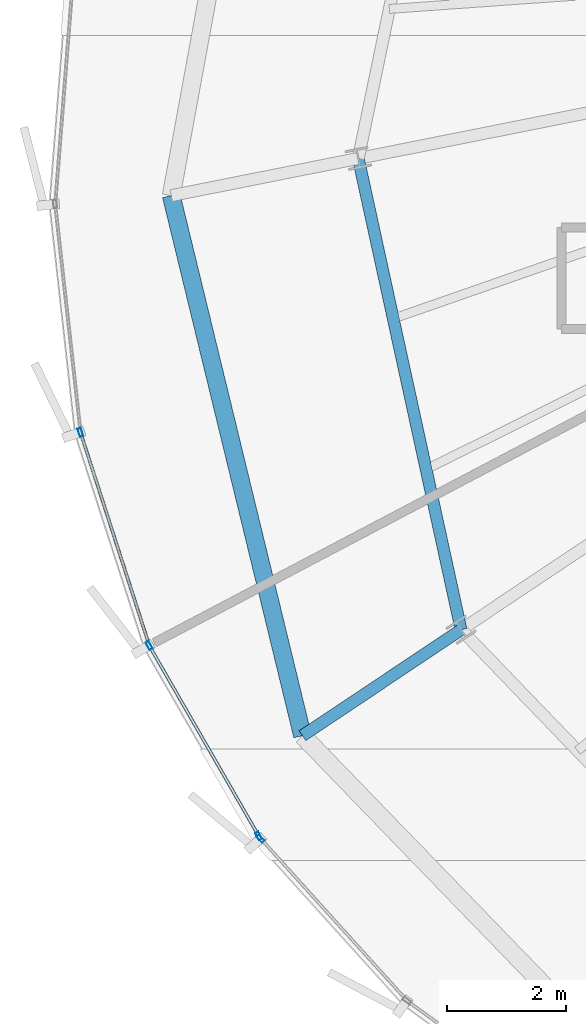
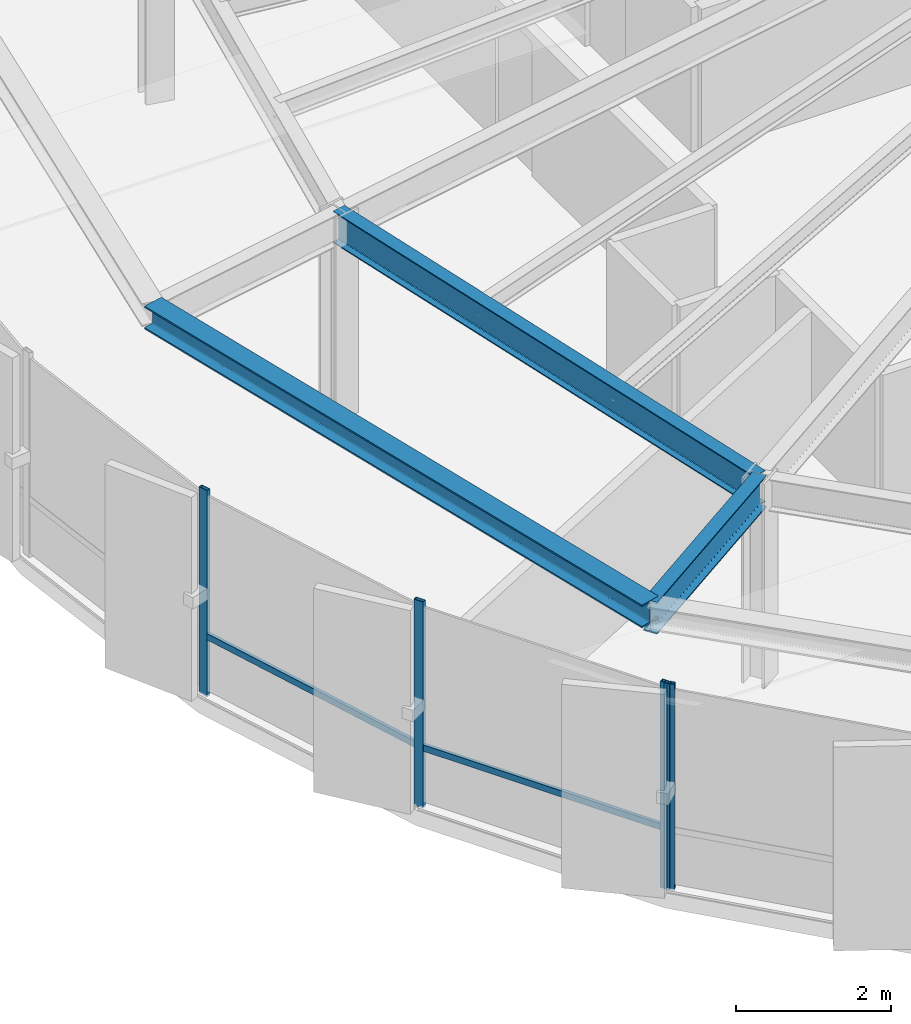
# One storey, part 4 of 35: 6 members, 3 beams, 2 elements without a shape of their own.
"""IFC4 building model written with IfcOpenShell, lengths in metres."""

from ifc_helpers import new_model, si_unit, direction, frame, origin, origin_2d, place, context, subcontext, project, spatial, hollow_rectangle, i_section, extrude, source, transform, mapped, material, layer, layer_set, material_profile, profile_set, type_object, element, aggregate, save


model = new_model("IFC4")

# Units and contexts
model_context = context("Model", 3, precision=1e-05, world=origin(), true_north=direction((0.0, 1.0)))
body_context = subcontext(model_context, "Body", "Model", "MODEL_VIEW")
ifc_project = project(units=[si_unit("LENGTHUNIT", "METRE"), si_unit("AREAUNIT", "SQUARE_METRE"), si_unit("VOLUMEUNIT", "CUBIC_METRE"), si_unit("PLANEANGLEUNIT", "RADIAN"), si_unit("MASSUNIT", "GRAM", prefix="KILO"), si_unit("THERMODYNAMICTEMPERATUREUNIT", "KELVIN")], contexts=[model_context])

# Site, building, storey
site_placement = place(None, origin())
site = spatial("IfcSite", under=ifc_project, at=site_placement, CompositionType="ELEMENT")
building_placement = place(site_placement, origin())
building = spatial("IfcBuilding", under=site, at=building_placement, Name="Kethvar Cultural Tower", CompositionType="ELEMENT")
storey_placement = place(building_placement, frame((0.0, 0.0, 179.89990234375)))
storey = spatial("IfcBuildingStorey", under=building, at=storey_placement, Name="L46", CompositionType="ELEMENT", Elevation=179.89990234375)

# Beams
ifc_material_1 = material(Name="Steel S355J2", Category="steel")
ifc_material_profile_1 = material_profile(ifc_material_1, i_section(OverallWidth=0.199951171875, OverallDepth=0.5, WebThickness=0.01025390625, FlangeThickness=0.01611328125, FilletRadius=0.02099609375, at=origin_2d()), Name="Steel S355J2 — IPE500")
ifc_profile_set_1 = profile_set([ifc_material_profile_1], Name="Steel S355J2 — IPE500")
beam_type_1 = type_object("IfcBeamType", Name="BM-IPE500", PredefinedType="BEAM", material=ifc_profile_set_1)
shared_shape_1 = source(origin(), body_context, "Body", "SweptSolid", [
    extrude(i_section(OverallWidth=0.199951171875, OverallDepth=0.5, WebThickness=0.01025390625, FlangeThickness=0.01611328125, FilletRadius=0.02099609375, at=origin_2d()), origin(), (0.0, 0.0, 1.0), 3.199951171875),
])
beam_1_placement = place(storey_placement, frame((29.217529296875, 16.0517578125, 3.008056640625), z_axis=(-0.831462943996, -0.555580212716, 0.0), x_axis=(0.555580212716, -0.831462943996, 0.0)))
element("IfcBeam", 1, at=beam_1_placement, inside=storey, type_object=beam_type_1, Name="L46 Perimeter Cantilever Beam RC-10", PredefinedType="BEAM", context=body_context, shape_type="MappedRepresentation", body=[
    mapped(shared_shape_1, transform((0.0, 0.0, 0.0), scale=1.0)),
])
shared_shape_2 = source(origin(), body_context, "Body", "SweptSolid", [
    extrude(i_section(OverallWidth=0.199951171875, OverallDepth=0.5, WebThickness=0.01025390625, FlangeThickness=0.01611328125, FilletRadius=0.02099609375, at=origin_2d()), origin(), (0.0, 0.0, 1.0), 8.09375),
])
beam_2_placement = place(storey_placement, frame((27.492919921875, 23.959716796875, 3.008056640625), z_axis=(0.213077030298, -0.977035403227, 0.0), x_axis=(0.977035403227, 0.213077030298, 0.0)))
element("IfcBeam", 2, at=beam_2_placement, inside=storey, type_object=beam_type_1, Name="L46 Column Ring Tie Beam CR-09", PredefinedType="BEAM", context=body_context, shape_type="MappedRepresentation", body=[
    mapped(shared_shape_2, transform((0.0, 0.0, 0.0), scale=1.0)),
])
ifc_material_profile_2 = material_profile(ifc_material_1, i_section(OverallWidth=0.300048828125, OverallDepth=0.360107421875, WebThickness=0.012451171875, FlangeThickness=0.0224609375, FilletRadius=0.027099609375, at=origin_2d()), Name="Steel S355J2 — HEB360")
ifc_profile_set_2 = profile_set([ifc_material_profile_2], Name="Steel S355J2 — HEB360")
beam_type_2 = type_object("IfcBeamType", Name="BM-SP360", PredefinedType="SPANDREL", material=ifc_profile_set_2)
shared_shape_3 = source(origin(), body_context, "Body", "SweptSolid", [
    extrude(i_section(OverallWidth=0.300048828125, OverallDepth=0.360107421875, WebThickness=0.012451171875, FlangeThickness=0.0224609375, FilletRadius=0.027099609375, at=origin_2d()), origin(), (0.0, 0.0, 1.0), 9.3251953125),
])
beam_3_placement = place(storey_placement, frame((24.3544921875, 23.335205078125, 3.078125), z_axis=(0.236179213868, -0.97170951366, 0.0), x_axis=(0.97170951366, 0.236179213868, 0.0)))
element("IfcBeam", 3, at=beam_3_placement, inside=storey, type_object=beam_type_2, Name="L46 Perimeter Spandrel Beam SP-09", PredefinedType="SPANDREL", context=body_context, shape_type="MappedRepresentation", body=[
    mapped(shared_shape_3, transform((0.0, 0.0, 0.0), scale=1.0)),
])

# Curtain wall, members
ifc_material_2 = material(Name="Aluminium 6063-T6", Category="aluminium")
ifc_layer = layer(ifc_material_2, 0.179931640625, Name="Aluminium 6063-T6", Category="aluminium")
ifc_layer_set = layer_set([ifc_layer], Name="Aluminium 6063-T6 (180 mm)")
curtain_wall_type = type_object("IfcCurtainWallType", Name="CW-SYS-04-Z34", PredefinedType="NOTDEFINED", material=ifc_layer_set)
curtain_wall_1_placement = place(storey_placement, origin())
curtain_wall_1 = element("IfcCurtainWall", 4, at=curtain_wall_1_placement, inside=storey, type_object=curtain_wall_type, Name="L46 Curtain Wall Run 03", PredefinedType="NOTDEFINED")
ifc_material_profile_3 = material_profile(ifc_material_2, hollow_rectangle(XDim=0.06005859375, YDim=0.139892578125, WallThickness=0.0048828125, at=origin_2d()), Name="Aluminium 6063-T6 — RHS140x60x5")
ifc_profile_set_3 = profile_set([ifc_material_profile_3], Name="Aluminium 6063-T6 — RHS140x60x5")
member_type_1 = type_object("IfcMemberType", Name="CW-SYS-04-Z34-MUL", PredefinedType="MULLION", material=ifc_profile_set_3)
shared_shape_4 = source(origin(), body_context, "Body", "SweptSolid", [
    extrude(hollow_rectangle(XDim=0.06005859375, YDim=0.139892578125, WallThickness=0.0048828125, at=origin_2d()), origin(), (0.0, 0.0, 1.0), 3.260009765625),
])
member_1_placement = place(storey_placement, frame((22.83154296875, 19.36279296875, 0.0), z_axis=(0.0, 0.0, 1.0), x_axis=(0.951594403879, 0.3073566178, 0.0)))
member_1 = element("IfcMember", 5, at=member_1_placement, type_object=member_type_1, Name="CW-L46-R03 Mullion 5", PredefinedType="MULLION", context=body_context, shape_type="MappedRepresentation", body=[
    mapped(shared_shape_4, transform((0.0, 0.0, 0.0), scale=1.0)),
])
member_2_placement = place(storey_placement, frame((23.98388671875, 15.78759765625, 0.0), z_axis=(0.0, 0.0, 1.0), x_axis=(0.86681843597, 0.498623905426, 0.0)))
member_2 = element("IfcMember", 6, at=member_2_placement, type_object=member_type_1, Name="CW-L46-R03 Mullion 6", PredefinedType="MULLION", context=body_context, shape_type="MappedRepresentation", body=[
    mapped(shared_shape_4, transform((0.0, 0.0, 0.0), scale=1.0)),
])
member_3_placement = place(storey_placement, frame((25.822021484375, 12.592041015625, 0.0), z_axis=(0.0, 0.0, 1.0), x_axis=(0.86681843597, 0.498623905426, 0.0)))
member_3 = element("IfcMember", 7, at=member_3_placement, type_object=member_type_1, Name="CW-L46-R03 Mullion 7", PredefinedType="MULLION", context=body_context, shape_type="MappedRepresentation", body=[
    mapped(shared_shape_4, transform((0.0, 0.0, 0.0), scale=1.0)),
])

# Curtain wall, member
curtain_wall_2_placement = place(storey_placement, origin())
curtain_wall_2 = element("IfcCurtainWall", 8, at=curtain_wall_2_placement, inside=storey, type_object=curtain_wall_type, Name="L46 Curtain Wall Run 04", PredefinedType="NOTDEFINED")
member_4_placement = place(storey_placement, frame((25.85400390625, 12.548095703125, 0.0), z_axis=(0.0, 0.0, 1.0), x_axis=(0.742069442958, 0.670323013053, 0.0)))
member_4 = element("IfcMember", 9, at=member_4_placement, type_object=member_type_1, Name="CW-L46-R04 Mullion 1", PredefinedType="MULLION", context=body_context, shape_type="MappedRepresentation", body=[
    mapped(shared_shape_4, transform((0.0, 0.0, 0.0), scale=1.0)),
])
aggregate(curtain_wall_2, [member_4])

# Member
ifc_material_profile_4 = material_profile(ifc_material_2, hollow_rectangle(XDim=0.050048828125, YDim=0.10009765625, WallThickness=0.00390625, at=origin_2d()), Name="Aluminium 6063-T6 — RHS100x50x4")
ifc_profile_set_4 = profile_set([ifc_material_profile_4], Name="Aluminium 6063-T6 — RHS100x50x4")
member_type_2 = type_object("IfcMemberType", Name="CW-SYS-04-Z34-TRN", PredefinedType="USERDEFINED", material=ifc_profile_set_4)
shared_shape_5 = source(origin(), body_context, "Body", "SweptSolid", [
    extrude(hollow_rectangle(XDim=0.050048828125, YDim=0.10009765625, WallThickness=0.00390625, at=origin_2d()), origin(), (0.0, 0.0, 1.0), 3.692626953125),
])
member_5_placement = place(storey_placement, frame((22.844970703125, 19.32177734375, 0.9501953125), z_axis=(0.307307982822, -0.951610111177, 0.0), x_axis=(0.951610111177, 0.307307982822, 0.0)))
member_5 = element("IfcMember", 10, at=member_5_placement, type_object=member_type_2, Name="CW-L46-R03 Transom 5", ObjectType="TRANSOM", PredefinedType="USERDEFINED", context=body_context, shape_type="MappedRepresentation", body=[
    mapped(shared_shape_5, transform((0.0, 0.0, 0.0), scale=1.0)),
])

shared_shape_6 = source(origin(), body_context, "Body", "SweptSolid", [
    extrude(hollow_rectangle(XDim=0.050048828125, YDim=0.10009765625, WallThickness=0.00390625, at=origin_2d()), origin(), (0.0, 0.0, 1.0), 3.63916015625),
])
member_6_placement = place(storey_placement, frame((24.00537109375, 15.750244140625, 0.9501953125), z_axis=(0.498593382815, -0.866835992915, 0.0), x_axis=(0.866835992915, 0.498593382815, 0.0)))
member_6 = element("IfcMember", 11, at=member_6_placement, type_object=member_type_2, Name="CW-L46-R03 Transom 6", ObjectType="TRANSOM", PredefinedType="USERDEFINED", context=body_context, shape_type="MappedRepresentation", body=[
    mapped(shared_shape_6, transform((0.0, 0.0, 0.0), scale=1.0)),
])

aggregate(curtain_wall_1, [member_1, member_2, member_3, member_5, member_6])

save(model, "model.ifc")
